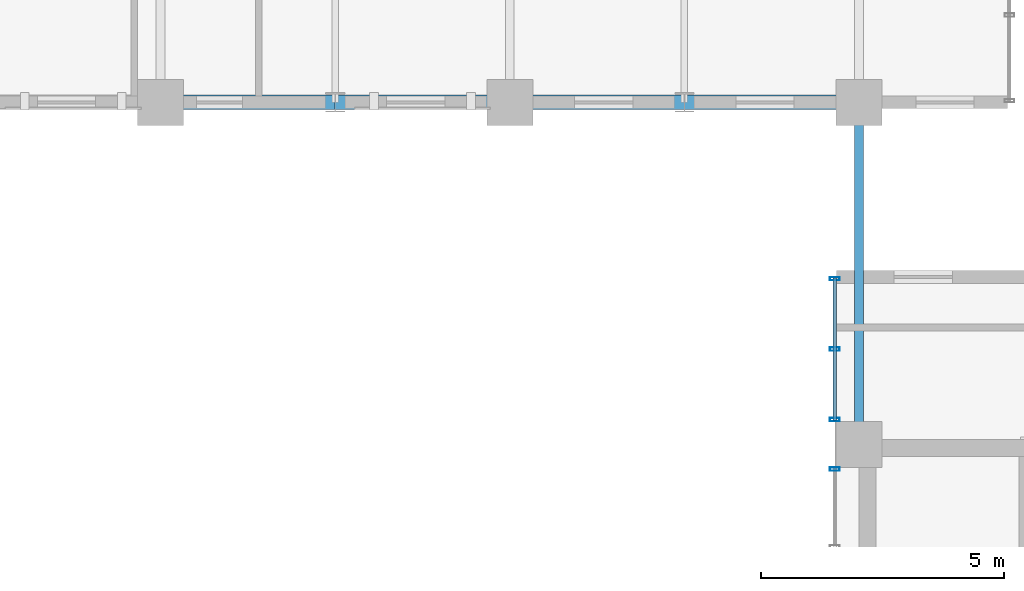
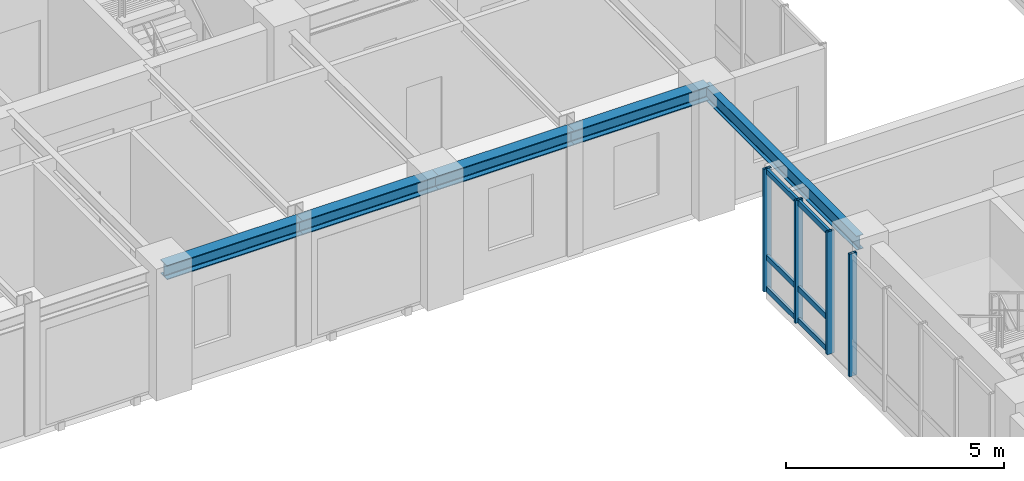
# One storey, part 5 of 24: 7 members, 5 beams, 2 elements without a shape of their own.
"""IFC4 building model written with IfcOpenShell, lengths in metres."""

from ifc_helpers import new_model, si_unit, direction, frame, origin, origin_2d, place, context, subcontext, project, spatial, hollow_rectangle, i_section, extrude, source, transform, mapped, material, layer, layer_set, material_profile, profile_set, type_object, element, aggregate, save


model = new_model("IFC4")

# Units and contexts
model_context = context("Model", 3, precision=1e-05, world=origin(), true_north=direction((0.0, 1.0)))
body_context = subcontext(model_context, "Body", "Model", "MODEL_VIEW")
ifc_project = project(units=[si_unit("LENGTHUNIT", "METRE"), si_unit("AREAUNIT", "SQUARE_METRE"), si_unit("VOLUMEUNIT", "CUBIC_METRE"), si_unit("PLANEANGLEUNIT", "RADIAN"), si_unit("MASSUNIT", "GRAM", prefix="KILO")], contexts=[model_context])

# Site, building, storey
site_placement = place(None, origin())
site = spatial("IfcSite", under=ifc_project, at=site_placement, CompositionType="ELEMENT")
building_placement = place(site_placement, origin())
building = spatial("IfcBuilding", under=site, at=building_placement, Name="Kaliganga Portal Commons", CompositionType="ELEMENT")
storey_placement = place(building_placement, frame((0.0, 0.0, 242.5)))
storey = spatial("IfcBuildingStorey", under=building, at=storey_placement, Name="L62", CompositionType="ELEMENT", Elevation=242.5)

# Beams
ifc_material_1 = material(Name="Structural steel S355J2", Category="steel")
ifc_material_profile_1 = material_profile(ifc_material_1, i_section(OverallWidth=0.300048828125, OverallDepth=0.39990234375, WebThickness=0.013427734375, FlangeThickness=0.02392578125, FilletRadius=0.027099609375, at=origin_2d()), Name="HE 400 B")
ifc_profile_set_1 = profile_set([ifc_material_profile_1], Name="Structural steel S355J2 wide-flange")
beam_type_1 = type_object("IfcBeamType", Name="BM-SPAND-400", PredefinedType="SPANDREL", material=ifc_profile_set_1)
shared_shape_1 = source(origin(), body_context, "Body", "SweptSolid", [
    extrude(i_section(OverallWidth=0.300048828125, OverallDepth=0.39990234375, WebThickness=0.013427734375, FlangeThickness=0.02392578125, FilletRadius=0.027099609375, at=origin_2d()), origin(), (0.0, 0.0, 1.0), 3.60009765625),
])
for number, where, z_axis, x_axis, name in (
    (1, (25.199951171875, 21.60009765625, 3.239990234375), (1.0, 0.0, 0.0), (0.0, 1.0, 0.0), "BM SP L62 AS 4"),
    (2, (32.39990234375, 21.60009765625, 3.239990234375), (1.0, 0.0, 0.0), (0.0, 1.0, 0.0), "BM SP L62 AS 6"),
):
    element("IfcBeam", number, at=place(storey_placement, frame(where, z_axis=z_axis, x_axis=x_axis)), inside=storey, type_object=beam_type_1, Name=name, PredefinedType="SPANDREL", context=body_context, shape_type="MappedRepresentation", body=[
        mapped(shared_shape_1, transform((0.0, 0.0, 0.0), x_axis=(1.0, 0.0, 0.0), y_axis=(0.0, 1.0, 0.0), z_axis=(0.0, 0.0, 1.0), scale=1.0)),
    ])
shared_shape_2 = source(origin(), body_context, "Body", "SweptSolid", [
    extrude(i_section(OverallWidth=0.300048828125, OverallDepth=0.39990234375, WebThickness=0.013427734375, FlangeThickness=0.02392578125, FilletRadius=0.027099609375, at=origin_2d()), origin(), (0.0, 0.0, 1.0), 3.599853515625),
])
for number, where, z_axis, x_axis, name in (
    (3, (21.60009765625, 21.60009765625, 3.239990234375), (1.0, 0.0, 0.0), (0.0, 1.0, 0.0), "BM SP L62 AS 3"),
    (4, (28.800048828125, 21.60009765625, 3.239990234375), (1.0, 0.0, 0.0), (0.0, 1.0, 0.0), "BM SP L62 AS 5"),
):
    element("IfcBeam", number, at=place(storey_placement, frame(where, z_axis=z_axis, x_axis=x_axis)), inside=storey, type_object=beam_type_1, Name=name, PredefinedType="SPANDREL", context=body_context, shape_type="MappedRepresentation", body=[
        mapped(shared_shape_2, transform((0.0, 0.0, 0.0), x_axis=(1.0, 0.0, 0.0), y_axis=(0.0, 1.0, 0.0), z_axis=(0.0, 0.0, 1.0), scale=1.0)),
    ])
ifc_material_profile_2 = material_profile(ifc_material_1, i_section(OverallWidth=0.179931640625, OverallDepth=0.39990234375, WebThickness=0.008544921875, FlangeThickness=0.013427734375, FilletRadius=0.02099609375, at=origin_2d()), Name="IPE 400")
ifc_profile_set_2 = profile_set([ifc_material_profile_2], Name="Structural steel S355J2 wide-flange")
beam_type_2 = type_object("IfcBeamType", Name="BM-FLR-400", PredefinedType="BEAM", material=ifc_profile_set_2)
shared_shape_3 = source(origin(), body_context, "Body", "SweptSolid", [
    extrude(i_section(OverallWidth=0.179931640625, OverallDepth=0.39990234375, WebThickness=0.008544921875, FlangeThickness=0.013427734375, FilletRadius=0.02099609375, at=origin_2d()), origin(), (0.0, 0.0, 1.0), 7.050048828125),
])
beam_placement = place(storey_placement, frame((36.0, 14.550048828125, 3.239990234375), z_axis=(0.0, 1.0, 0.0), x_axis=(-1.0, 0.0, 0.0)))
element("IfcBeam", 5, at=beam_placement, inside=storey, type_object=beam_type_2, Name="BM G L62 BNK360", PredefinedType="BEAM", context=body_context, shape_type="MappedRepresentation", body=[
    mapped(shared_shape_3, transform((0.0, 0.0, 0.0), x_axis=(1.0, 0.0, 0.0), y_axis=(0.0, 1.0, 0.0), z_axis=(0.0, 0.0, 1.0), scale=1.0)),
])

# Curtain wall, members
ifc_material_2 = material(Name="Anodized Aluminium and Laminated Low-E Glass", Category="aluminium")
ifc_layer = layer(ifc_material_2, 0.239990234375)
ifc_layer_set = layer_set([ifc_layer], Name="Anodized Aluminium and Laminated Low-E Glass")
curtain_wall_type = type_object("IfcCurtainWallType", Name="CW-SYS-04", PredefinedType="NOTDEFINED", material=ifc_layer_set)
curtain_wall_1_placement = place(storey_placement, origin())
curtain_wall_1 = element("IfcCurtainWall", 6, at=curtain_wall_1_placement, inside=storey, type_object=curtain_wall_type, Name="CW 04 L62 P2E09S1", PredefinedType="NOTDEFINED")
ifc_material_3 = material(Name="Dark Bronze Anodized Aluminium", Category="aluminium")
ifc_material_profile_3 = material_profile(ifc_material_3, hollow_rectangle(XDim=0.070068359375, YDim=0.199951171875, WallThickness=0.00390625, at=origin_2d()), Name="ALU MULL 70x200x4")
ifc_profile_set_3 = profile_set([ifc_material_profile_3], Name="Dark Bronze Anodized Aluminium")
member_type_1 = type_object("IfcMemberType", Name="CW-MUL-220", PredefinedType="MULLION", material=ifc_profile_set_3)
shared_shape_4 = source(origin(), body_context, "Body", "SweptSolid", [
    extrude(hollow_rectangle(XDim=0.070068359375, YDim=0.199951171875, WallThickness=0.00390625, at=origin_2d()), origin(), (0.0, 0.0, 1.0), 3.43994140625),
])
member_1_placement = place(storey_placement, frame((35.5, 17.965087890625, 0.0), z_axis=(0.0, 0.0, 1.0), x_axis=(0.0, -1.0, 0.0)))
member_1 = element("IfcMember", 7, at=member_1_placement, type_object=member_type_1, Name="CW:04:L62:P2E09S1 Mullion 00", PredefinedType="MULLION", context=body_context, shape_type="MappedRepresentation", body=[
    mapped(shared_shape_4, transform((0.0, 0.0, 0.0), x_axis=(1.0, 0.0, 0.0), y_axis=(0.0, 1.0, 0.0), z_axis=(0.0, 0.0, 1.0), scale=1.0)),
])
member_2_placement = place(storey_placement, frame((35.5, 16.512939453125, 0.0), z_axis=(0.0, 0.0, 1.0), x_axis=(0.0, -1.0, 0.0)))
member_2 = element("IfcMember", 8, at=member_2_placement, type_object=member_type_1, Name="CW:04:L62:P2E09S1 Mullion 01", PredefinedType="MULLION", context=body_context, shape_type="MappedRepresentation", body=[
    mapped(shared_shape_4, transform((0.0, 0.0, 0.0), x_axis=(1.0, 0.0, 0.0), y_axis=(0.0, 1.0, 0.0), z_axis=(0.0, 0.0, 1.0), scale=1.0)),
])
member_3_placement = place(storey_placement, frame((35.5, 15.06103515625, 0.0), z_axis=(0.0, 0.0, 1.0), x_axis=(0.0, -1.0, 0.0)))
member_3 = element("IfcMember", 9, at=member_3_placement, type_object=member_type_1, Name="CW:04:L62:P2E09S1 Mullion 02", PredefinedType="MULLION", context=body_context, shape_type="MappedRepresentation", body=[
    mapped(shared_shape_4, transform((0.0, 0.0, 0.0), x_axis=(1.0, 0.0, 0.0), y_axis=(0.0, 1.0, 0.0), z_axis=(0.0, 0.0, 1.0), scale=1.0)),
])

# Curtain wall, member
curtain_wall_2_placement = place(storey_placement, origin())
curtain_wall_2 = element("IfcCurtainWall", 10, at=curtain_wall_2_placement, inside=storey, type_object=curtain_wall_type, Name="CW 04 L62 P2E09S2", PredefinedType="NOTDEFINED")
member_4_placement = place(storey_placement, frame((35.5, 14.0390625, 0.0), z_axis=(0.0, 0.0, 1.0), x_axis=(0.0, -1.0, 0.0)))
member_4 = element("IfcMember", 11, at=member_4_placement, type_object=member_type_1, Name="CW:04:L62:P2E09S2 Mullion 00", PredefinedType="MULLION", context=body_context, shape_type="MappedRepresentation", body=[
    mapped(shared_shape_4, transform((0.0, 0.0, 0.0), x_axis=(1.0, 0.0, 0.0), y_axis=(0.0, 1.0, 0.0), z_axis=(0.0, 0.0, 1.0), scale=1.0)),
])
aggregate(curtain_wall_2, [member_4])

# Member
ifc_material_profile_4 = material_profile(ifc_material_3, hollow_rectangle(XDim=0.070068359375, YDim=0.14990234375, WallThickness=0.00341796875, at=origin_2d()), Name="ALU TRAN 70x150x3.5")
ifc_profile_set_4 = profile_set([ifc_material_profile_4], Name="Dark Bronze Anodized Aluminium")
member_type_2 = type_object("IfcMemberType", Name="CW-TRN-150", PredefinedType="USERDEFINED", material=ifc_profile_set_4)
shared_shape_5 = source(origin(), body_context, "Body", "SweptSolid", [
    extrude(hollow_rectangle(XDim=0.070068359375, YDim=0.14990234375, WallThickness=0.00341796875, at=origin_2d()), origin(), (0.0, 0.0, 1.0), 2.93408203125),
])
member_5_placement = place(storey_placement, frame((35.5, 17.97998046875, 0.06005859375), z_axis=(0.0, -1.0, 0.0), x_axis=(1.0, 0.0, 0.0)))
member_5 = element("IfcMember", 12, at=member_5_placement, type_object=member_type_2, Name="CW:04:L62:P2E09S1 Transom 1", ObjectType="TRANSOM", PredefinedType="USERDEFINED", context=body_context, shape_type="MappedRepresentation", body=[
    mapped(shared_shape_5, transform((0.0, 0.0, 0.0), x_axis=(1.0, 0.0, 0.0), y_axis=(0.0, 1.0, 0.0), z_axis=(0.0, 0.0, 1.0), scale=1.0)),
])

member_6_placement = place(storey_placement, frame((35.5, 17.97998046875, 0.949951171875), z_axis=(0.0, -1.0, 0.0), x_axis=(1.0, 0.0, 0.0)))
member_6 = element("IfcMember", 13, at=member_6_placement, type_object=member_type_2, Name="CW:04:L62:P2E09S1 Transom 2", ObjectType="TRANSOM", PredefinedType="USERDEFINED", context=body_context, shape_type="MappedRepresentation", body=[
    mapped(shared_shape_5, transform((0.0, 0.0, 0.0), x_axis=(1.0, 0.0, 0.0), y_axis=(0.0, 1.0, 0.0), z_axis=(0.0, 0.0, 1.0), scale=1.0)),
])

member_7_placement = place(storey_placement, frame((35.5, 17.97998046875, 3.360107421875), z_axis=(0.0, -1.0, 0.0), x_axis=(1.0, 0.0, 0.0)))
member_7 = element("IfcMember", 14, at=member_7_placement, type_object=member_type_2, Name="CW:04:L62:P2E09S1 Transom 3", ObjectType="TRANSOM", PredefinedType="USERDEFINED", context=body_context, shape_type="MappedRepresentation", body=[
    mapped(shared_shape_5, transform((0.0, 0.0, 0.0), x_axis=(1.0, 0.0, 0.0), y_axis=(0.0, 1.0, 0.0), z_axis=(0.0, 0.0, 1.0), scale=1.0)),
])

aggregate(curtain_wall_1, [member_1, member_2, member_3, member_5, member_6, member_7])

save(model, "model.ifc")
